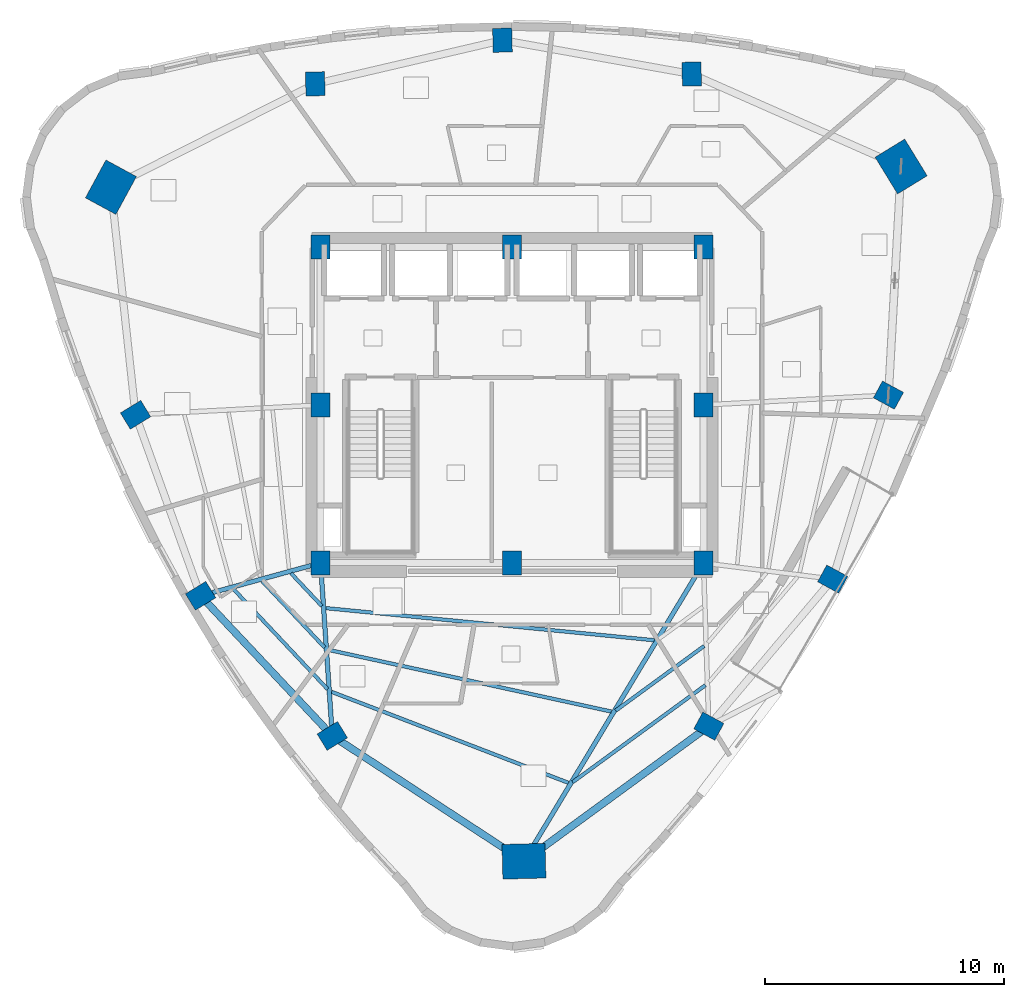
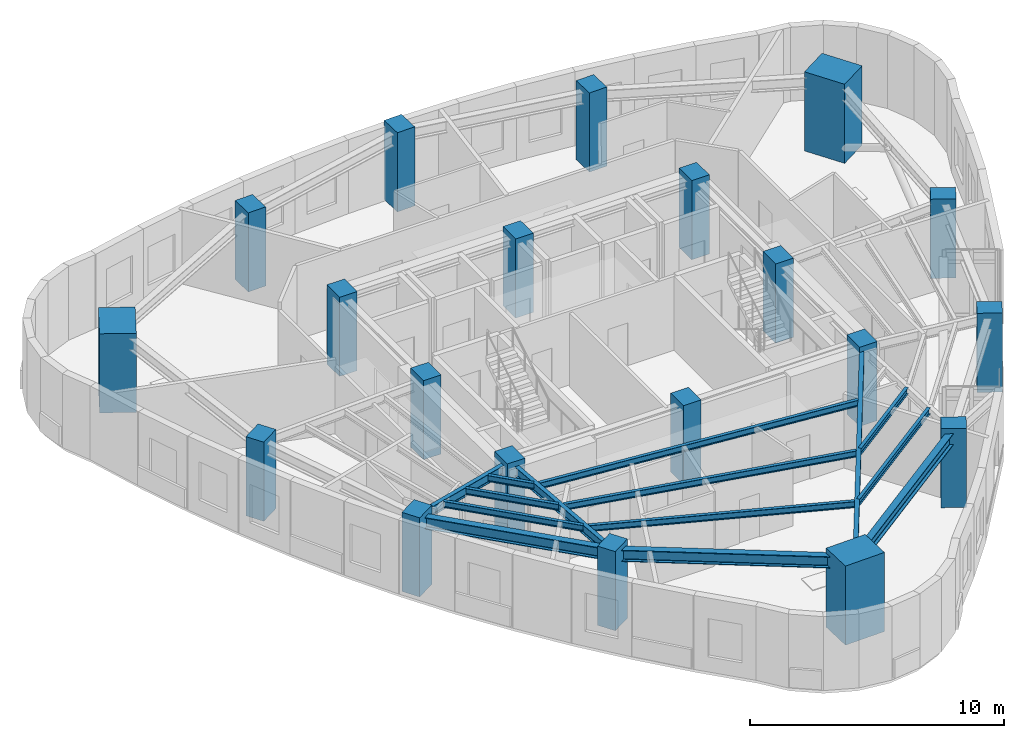
# One storey, part 1 of 12: 20 columns, 14 beams.
"""IFC4 building model written with IfcOpenShell, lengths in metres."""

import ifcopenshell
import ifcopenshell.guid

model = None  # the IFC model being written
_history = None  # IfcOwnerHistory: only IFC2X3 demands one
_inside = {}  # id of a spatial element -> (the spatial element, [elements in it])
_under = {}  # id of a project, library or spatial element -> (it, [spatial elements below it])
_declared = {}  # id of a project -> (the project, [libraries it declares])
_typed = {}  # id of a type object -> (the type object, [elements of that type])
_made_of = {}  # id of a material, layer set ... -> (it, [elements and type objects made of it])


def new_model(schema):
    """Start an empty IFC model of exactly this schema.

    Asked for "IFC4X3", IfcOpenShell would pick the latest addendum, in which some entities
    have other attributes; the version numbers below select the first issue.
    IFC2X3 requires an IfcOwnerHistory on every rooted entity: one is made here for all.
    """
    global model, _history
    if schema == "IFC4X3":
        model = ifcopenshell.file(schema_version=(4, 3, 0, 0))
    else:
        model = ifcopenshell.file(schema=schema)
    _inside.clear()
    _under.clear()
    _declared.clear()
    _typed.clear()
    _made_of.clear()
    _history = None
    if model.schema == "IFC2X3":
        org = make("IfcOrganization", Name="unknown")
        user = make(
            "IfcPersonAndOrganization",
            ThePerson=make("IfcPerson", FamilyName="unknown"),
            TheOrganization=org,
        )
        app = make(
            "IfcApplication",
            ApplicationDeveloper=org,
            Version="unknown",
            ApplicationFullName="unknown",
            ApplicationIdentifier="unknown",
        )
        _history = make(
            "IfcOwnerHistory",
            OwningUser=user,
            OwningApplication=app,
            ChangeAction="ADDED",
            CreationDate=0,
        )
    return model


def make(cls, **values):
    """One entity of the class cls with the attributes given. An attribute that is None is left unset."""
    return model.create_entity(
        cls, **{name: value for name, value in values.items() if value is not None}
    )


def rooted(cls, **values):
    """An entity with a GlobalId (a new one), such as an element, a storey or a relation."""
    return make(cls, GlobalId=ifcopenshell.guid.new(), OwnerHistory=_history, **values)


def si_unit(unit_type, name, prefix=None):
    """IfcSIUnit, for example si_unit("LENGTHUNIT", "METRE", prefix="MILLI")."""
    return make("IfcSIUnit", UnitType=unit_type, Prefix=prefix, Name=name)


def assignment(units):
    """IfcUnitAssignment: the units of a project."""
    return None if units is None else make("IfcUnitAssignment", Units=units)


def point(xyz):
    """IfcCartesianPoint."""
    return None if xyz is None else make("IfcCartesianPoint", Coordinates=xyz)


def direction(xyz):
    """IfcDirection."""
    return None if xyz is None else make("IfcDirection", DirectionRatios=xyz)


def frame(location, z_axis=None, x_axis=None):
    """IfcAxis2Placement3D, a coordinate frame: its origin and axes. An axis left out is left unset."""
    return make(
        "IfcAxis2Placement3D",
        Location=point(location),
        Axis=direction(z_axis),
        RefDirection=direction(x_axis),
    )


def frame_2d(location, x_axis=None):
    """IfcAxis2Placement2D, a coordinate frame in the plane: its origin and x axis."""
    return make(
        "IfcAxis2Placement2D", Location=point(location), RefDirection=direction(x_axis)
    )


def origin():
    """The frame at (0, 0, 0) with its axes left unset."""
    return frame((0.0, 0.0, 0.0))


def origin_2d():
    """The frame at (0, 0) in the plane with its x axis left unset."""
    return frame_2d((0.0, 0.0))


def place(relative_to, where):
    """IfcLocalPlacement: puts the frame where relative to a parent placement (None: the world)."""
    return make(
        "IfcLocalPlacement", PlacementRelTo=relative_to, RelativePlacement=where
    )


def context(
    kind, dimensions, precision=None, world=None, true_north=None, identifier=None
):
    """IfcGeometricRepresentationContext, for example the 3D "Model" context."""
    return make(
        "IfcGeometricRepresentationContext",
        ContextIdentifier=identifier,
        ContextType=kind,
        CoordinateSpaceDimension=dimensions,
        Precision=precision,
        WorldCoordinateSystem=world,
        TrueNorth=true_north,
    )


def subcontext(parent, identifier, kind, view, scale=None):
    """IfcGeometricRepresentationSubContext, for example "Body" below "Model"."""
    return make(
        "IfcGeometricRepresentationSubContext",
        ContextIdentifier=identifier,
        ContextType=kind,
        ParentContext=parent,
        TargetScale=scale,
        TargetView=view,
    )


def project(units=None, contexts=None):
    """IfcProject with its units and contexts."""
    return rooted(
        "IfcProject",
        Name="project",
        RepresentationContexts=contexts,
        UnitsInContext=assignment(units),
    )


def spatial(cls, under=None, at=None, **own):
    """A site, building, storey or space (cls), placed at a placement, below another one or the project."""
    s = rooted(cls, ObjectPlacement=at, **own)
    if under is not None:
        _under.setdefault(under.id(), (under, []))[1].append(s)
    return s


def profile(cls, at=None, kind="AREA", **sizes):
    """A parametric profile (cls). Its sizes go by their IFC names, for example OverallWidth=200.0."""
    return make(cls, ProfileType=kind, Position=at, **sizes)


def rectangle(**sizes):
    """IfcRectangleProfileDef."""
    return profile("IfcRectangleProfileDef", **sizes)


def i_section(**sizes):
    """IfcIShapeProfileDef."""
    return profile("IfcIShapeProfileDef", **sizes)


def extrude(swept, where, along, depth):
    """IfcExtrudedAreaSolid: the profile swept, set in the frame where, extruded along a direction by depth."""
    return make(
        "IfcExtrudedAreaSolid",
        SweptArea=swept,
        Position=where,
        ExtrudedDirection=direction(along),
        Depth=depth,
    )


def shape(context_of_items, identifier, shape_type, items):
    """IfcShapeRepresentation: the items that make up one representation, for example the "Body"."""
    return make(
        "IfcShapeRepresentation",
        ContextOfItems=context_of_items,
        RepresentationIdentifier=identifier,
        RepresentationType=shape_type,
        Items=items,
    )


def material(Name=None, Category=None):
    """IfcMaterial."""
    return make("IfcMaterial", Name=Name, Category=Category)


def material_profile(
    of_material, cross_section, Name=None, Category=None, Priority=None
):
    """IfcMaterialProfile: a cross section and its material."""
    return make(
        "IfcMaterialProfile",
        Name=Name,
        Material=of_material,
        Profile=cross_section,
        Priority=Priority,
        Category=Category,
    )


def profile_set(profiles, Name=None, composite=None):
    """IfcMaterialProfileSet."""
    return make(
        "IfcMaterialProfileSet",
        Name=Name,
        MaterialProfiles=profiles,
        CompositeProfile=composite,
    )


def made_of(thing, what):
    """Note that an element or type object is made of a material, layer set ...; save() writes the relation."""
    if what is not None:
        _made_of.setdefault(what.id(), (what, []))[1].append(thing)
    return thing


def type_object(cls, material=None, **own):
    """A type object (cls), such as IfcWallType, which elements share."""
    return made_of(rooted(cls, **own), material)


def element(
    cls,
    number,
    at=None,
    inside=None,
    cuts=None,
    type_object=None,
    material=None,
    context=None,
    identifier="Body",
    shape_type=None,
    held_by="IfcProductDefinitionShape",
    body=None,
    shapes=None,
    **own,
):
    """One element of the class cls, such as IfcWall. Its Tag is "e" and its number.

    at: its placement. inside: the storey or other place that contains it. cuts: it is an
    opening in that element (IfcRelVoidsElement). A single representation is given by context,
    identifier, shape_type and body (its items); several are given by shapes. held_by: the class
    of the entity that holds the representations. save() writes the other relations.
    """
    e = rooted(cls, Tag="e%d" % number, ObjectPlacement=at, **own)
    if body is not None:
        shapes = [shape(context, identifier, shape_type, body)]
    if shapes is not None:
        e.Representation = make(held_by, Representations=shapes)
    if inside is not None:
        _inside.setdefault(inside.id(), (inside, []))[1].append(e)
    if cuts is not None:
        rooted(
            "IfcRelVoidsElement", RelatingBuildingElement=cuts, RelatedOpeningElement=e
        )
    if type_object is not None:
        _typed.setdefault(type_object.id(), (type_object, []))[1].append(e)
    return made_of(e, material)


def aggregate(whole, parts):
    """IfcRelAggregates: a whole, such as a stair, and the parts it consists of."""
    return rooted("IfcRelAggregates", RelatingObject=whole, RelatedObjects=parts)


def save(model, path):
    """Write the relations noted so far, then the file.

    IfcRelAggregates (storeys below a building ...), IfcRelContainedInSpatialStructure (elements
    in a storey), IfcRelDefinesByType, IfcRelAssociatesMaterial and IfcRelDeclares: one each for
    every whole, place, type object, material and project.
    """
    for whole, parts in _under.values():
        aggregate(whole, parts)
    for where, things in _inside.values():
        rooted(
            "IfcRelContainedInSpatialStructure",
            RelatedElements=things,
            RelatingStructure=where,
        )
    for kind, things in _typed.values():
        rooted("IfcRelDefinesByType", RelatedObjects=things, RelatingType=kind)
    for what, things in _made_of.values():
        rooted("IfcRelAssociatesMaterial", RelatedObjects=things, RelatingMaterial=what)
    for by, libraries in _declared.values():
        rooted("IfcRelDeclares", RelatingContext=by, RelatedDefinitions=libraries)
    model.write(path)


model = new_model("IFC4")

# Units and contexts
model_context = context("Model", 3, precision=1e-05, world=origin(), true_north=direction((0.0, 1.0)))
body_context = subcontext(model_context, "Body", "Model", "MODEL_VIEW")
ifc_project = project(units=[si_unit("LENGTHUNIT", "METRE"), si_unit("AREAUNIT", "SQUARE_METRE"), si_unit("VOLUMEUNIT", "CUBIC_METRE"), si_unit("PLANEANGLEUNIT", "RADIAN"), si_unit("MASSUNIT", "GRAM", prefix="KILO")], contexts=[model_context])

# Site, building, storey
site_placement = place(None, origin())
site = spatial("IfcSite", under=ifc_project, at=site_placement, CompositionType="ELEMENT")
building_placement = place(site_placement, origin())
building = spatial("IfcBuilding", under=site, at=building_placement, Name="Ndelora Gate Hotel", CompositionType="ELEMENT")
storey_placement = place(building_placement, frame((0.0, 0.0, 205.550048828125)))
storey = spatial("IfcBuildingStorey", under=building, at=storey_placement, Name="L51", CompositionType="ELEMENT", Elevation=205.550048828125)

# Columns
ifc_material_1 = material(Name="Concrete C50/60", Category="concrete")
ifc_material_profile_1 = material_profile(ifc_material_1, rectangle(XDim=0.800048828125, YDim=1.0, at=origin_2d()), Name="RC 1000x800")
ifc_profile_set_1 = profile_set([ifc_material_profile_1], Name="Concrete C50/60")
column_type_1 = type_object("IfcColumnType", Name="COL-CC-HI", PredefinedType="COLUMN", material=ifc_profile_set_1)
for number, where, z_axis, x_axis, name in (
    (1, (-8.0, -6.60009765625, 0.0), (0.0, 0.0, 1.0), (1.0, 0.0, 0.0), "L51 Core Column CC1"),
    (2, (0.0, -6.60009765625, 0.0), (0.0, 0.0, 1.0), (1.0, 0.0, 0.0), "L51 Core Column CC2"),
    (3, (8.0, -6.60009765625, 0.0), (0.0, 0.0, 1.0), (1.0, 0.0, 0.0), "L51 Core Column CC3"),
    (4, (8.0, 0.0, 0.0), (0.0, 0.0, 1.0), (1.0, 0.0, 0.0), "L51 Core Column CC4"),
    (5, (8.0, 6.60009765625, 0.0), (0.0, 0.0, 1.0), (1.0, 0.0, 0.0), "L51 Core Column CC5"),
    (6, (0.0, 6.60009765625, 0.0), (0.0, 0.0, 1.0), (1.0, 0.0, 0.0), "L51 Core Column CC6"),
    (7, (-8.0, 6.60009765625, 0.0), (0.0, 0.0, 1.0), (1.0, 0.0, 0.0), "L51 Core Column CC7"),
    (8, (-8.0, 0.0, 0.0), (0.0, 0.0, 1.0), (1.0, 0.0, 0.0), "L51 Core Column CC8"),
):
    element("IfcColumn", number, at=place(storey_placement, frame(where, z_axis=z_axis, x_axis=x_axis)), inside=storey, type_object=column_type_1, Name=name, PredefinedType="COLUMN", context=body_context, shape_type="SweptSolid", body=[
        extrude(rectangle(XDim=0.800048828125, YDim=1.0, at=origin_2d()), origin(), (0.0, 0.0, 1.0), 3.800048828125),
    ])
ifc_material_profile_2 = material_profile(ifc_material_1, rectangle(XDim=1.449951171875, YDim=1.800048828125, at=origin_2d()), Name="RC 1800x1450")
ifc_profile_set_2 = profile_set([ifc_material_profile_2], Name="Concrete C50/60")
column_type_2 = type_object("IfcColumnType", Name="COL-MC-Z3", PredefinedType="COLUMN", material=ifc_profile_set_2)
for number, where, z_axis, x_axis, name in (
    (9, (-16.759521484375, 9.099609375, 0.0), (0.0, 0.0, 1.0), (-0.878817112662, 0.47715876026, 0.0), "L51 Corner Mega-Column R1"),
    (10, (0.499267578125, -19.064208984375, 0.0), (0.0, 0.0, 1.0), (-0.026176948308, 0.999657324976, 0.0), "L51 Corner Mega-Column R5"),
    (11, (16.26025390625, 9.96435546875, 0.0), (0.0, 0.0, 1.0), (0.852640164354, 0.522498564716, 0.0), "L51 Corner Mega-Column R9"),
):
    element("IfcColumn", number, at=place(storey_placement, frame(where, z_axis=z_axis, x_axis=x_axis)), inside=storey, type_object=column_type_2, Name=name, PredefinedType="COLUMN", context=body_context, shape_type="SweptSolid", body=[
        extrude(rectangle(XDim=1.449951171875, YDim=1.800048828125, at=origin_2d()), origin(), (0.0, 0.0, 1.0), 3.800048828125),
    ])
ifc_material_profile_3 = material_profile(ifc_material_1, rectangle(XDim=0.800048828125, YDim=1.0, at=origin_2d()), Name="RC 1000x800")
ifc_profile_set_3 = profile_set([ifc_material_profile_3], Name="Concrete C50/60")
column_type_3 = type_object("IfcColumnType", Name="COL-PT-Z3", PredefinedType="COLUMN", material=ifc_profile_set_3)
for number, where, z_axis, x_axis, name in (
    (12, (-15.72998046875, -0.411865234375, 0.0), (0.0, 0.0, 1.0), (-0.522498564716, 0.852640164354, 0.0), "L51 Perimeter Tube Column R2"),
    (13, (-13.011962890625, -7.973876953125, 0.0), (0.0, 0.0, 1.0), (-0.522498564716, 0.852640164354, 0.0), "L51 Perimeter Tube Column R3"),
    (14, (-7.50830078125, -13.828369140625, 0.0), (0.0, 0.0, 1.0), (-0.522498564716, 0.852640164354, 0.0), "L51 Perimeter Tube Column R4"),
    (15, (8.223876953125, -13.419921875, 0.0), (0.0, 0.0, 1.0), (0.47715876026, 0.878817112662, 0.0), "L51 Perimeter Tube Column R6"),
    (16, (13.400390625, -7.275634765625, 0.0), (0.0, 0.0, 1.0), (0.47715876026, 0.878817112662, 0.0), "L51 Perimeter Tube Column R7"),
    (17, (15.72998046875, 0.411865234375, 0.0), (0.0, 0.0, 1.0), (0.47715876026, 0.878817112662, 0.0), "L51 Perimeter Tube Column R8"),
    (18, (7.50830078125, 13.828369140625, 0.0), (0.0, 0.0, 1.0), (0.999657324976, 0.026176948308, 0.0), "L51 Perimeter Tube Column R10"),
    (19, (-0.399169921875, 15.242919921875, 0.0), (0.0, 0.0, 1.0), (0.999657324976, 0.026176948308, 0.0), "L51 Perimeter Tube Column R11"),
    (20, (-8.2216796875, 13.41650390625, 0.0), (0.0, 0.0, 1.0), (0.999657324976, 0.026176948308, 0.0), "L51 Perimeter Tube Column R12"),
):
    element("IfcColumn", number, at=place(storey_placement, frame(where, z_axis=z_axis, x_axis=x_axis)), inside=storey, type_object=column_type_3, Name=name, PredefinedType="COLUMN", context=body_context, shape_type="SweptSolid", body=[
        extrude(rectangle(XDim=0.800048828125, YDim=1.0, at=origin_2d()), origin(), (0.0, 0.0, 1.0), 3.800048828125),
    ])

# Beams
ifc_material_2 = material(Name="Steel S355", Category="steel")
ifc_material_profile_4 = material_profile(ifc_material_2, i_section(OverallWidth=0.14990234375, OverallDepth=0.300048828125, WebThickness=0.007080078125, FlangeThickness=0.0107421875, FilletRadius=0.014892578125, at=origin_2d()), Name="IPE 300")
ifc_profile_set_4 = profile_set([ifc_material_profile_4], Name="Steel S355")
beam_type_1 = type_object("IfcBeamType", Name="BM-JST-300", PredefinedType="JOIST", material=ifc_profile_set_4)
beam_1_placement = place(storey_placement, frame((-9.231201171875, -7.03369140625, 3.39990234375), z_axis=(0.684943115963, -0.728596546722, 0.0), x_axis=(0.728596546722, 0.684943115963, 0.0)))
element("IfcBeam", 21, at=beam_1_placement, inside=storey, type_object=beam_type_1, Name="L51 Secondary Composite Floor Joist IN-3", PredefinedType="JOIST", context=body_context, shape_type="SweptSolid", body=[
    extrude(i_section(OverallWidth=0.14990234375, OverallDepth=0.300048828125, WebThickness=0.007080078125, FlangeThickness=0.0107421875, FilletRadius=0.014892578125, at=origin_2d()), origin(), (0.0, 0.0, 1.0), 1.879150390625),
])
beam_2_placement = place(storey_placement, frame((-10.43408203125, -7.36328125, 3.39990234375), z_axis=(0.684938600536, -0.728600791584, 0.0), x_axis=(0.728600791584, 0.684938600536, 0.0)))
element("IfcBeam", 22, at=beam_2_placement, inside=storey, type_object=beam_type_1, Name="L51 Secondary Composite Floor Joist MID-3", PredefinedType="JOIST", context=body_context, shape_type="SweptSolid", body=[
    extrude(i_section(OverallWidth=0.14990234375, OverallDepth=0.300048828125, WebThickness=0.007080078125, FlangeThickness=0.0107421875, FilletRadius=0.014892578125, at=origin_2d()), origin(), (0.0, 0.0, 1.0), 3.807861328125),
])
beam_3_placement = place(storey_placement, frame((-11.636962890625, -7.693115234375, 3.39990234375), z_axis=(0.68493576734, -0.728603454986, 0.0), x_axis=(0.728603454986, 0.68493576734, 0.0)))
element("IfcBeam", 23, at=beam_3_placement, inside=storey, type_object=beam_type_1, Name="L51 Secondary Composite Floor Joist OUT-3", PredefinedType="JOIST", context=body_context, shape_type="SweptSolid", body=[
    extrude(i_section(OverallWidth=0.14990234375, OverallDepth=0.300048828125, WebThickness=0.007080078125, FlangeThickness=0.0107421875, FilletRadius=0.014892578125, at=origin_2d()), origin(), (0.0, 0.0, 1.0), 5.736328125),
])
beam_4_placement = place(storey_placement, frame((-7.767578125, -8.489501953125, 3.39990234375), z_axis=(0.995253727902, -0.097314012848, 0.0), x_axis=(0.097314012848, 0.995253727902, 0.0)))
element("IfcBeam", 24, at=beam_4_placement, inside=storey, type_object=beam_type_1, Name="L51 Secondary Composite Floor Joist IN-4", PredefinedType="JOIST", context=body_context, shape_type="SweptSolid", body=[
    extrude(i_section(OverallWidth=0.14990234375, OverallDepth=0.300048828125, WebThickness=0.007080078125, FlangeThickness=0.0107421875, FilletRadius=0.014892578125, at=origin_2d()), origin(), (0.0, 0.0, 1.0), 13.7783203125),
])
beam_5_placement = place(storey_placement, frame((-7.651611328125, -10.236572265625, 3.39990234375), z_axis=(0.977032906758, -0.213088477191, 0.0), x_axis=(0.213088477191, 0.977032906758, 0.0)))
element("IfcBeam", 25, at=beam_5_placement, inside=storey, type_object=beam_type_1, Name="L51 Secondary Composite Floor Joist MID-4", PredefinedType="JOIST", context=body_context, shape_type="SweptSolid", body=[
    extrude(i_section(OverallWidth=0.14990234375, OverallDepth=0.300048828125, WebThickness=0.007080078125, FlangeThickness=0.0107421875, FilletRadius=0.014892578125, at=origin_2d()), origin(), (0.0, 0.0, 1.0), 12.075927734375),
])
beam_6_placement = place(storey_placement, frame((-7.5380859375, -11.98681640625, 3.39990234375), z_axis=(0.933489266504, -0.358605339227, 0.0), x_axis=(0.358605339227, 0.933489266504, 0.0)))
element("IfcBeam", 26, at=beam_6_placement, inside=storey, type_object=beam_type_1, Name="L51 Secondary Composite Floor Joist OUT-4", PredefinedType="JOIST", context=body_context, shape_type="SweptSolid", body=[
    extrude(i_section(OverallWidth=0.14990234375, OverallDepth=0.300048828125, WebThickness=0.007080078125, FlangeThickness=0.0107421875, FilletRadius=0.014892578125, at=origin_2d()), origin(), (0.0, 0.0, 1.0), 10.593994140625),
])
beam_7_placement = place(storey_placement, frame((4.33447265625, -12.77001953125, 3.39990234375), z_axis=(0.807439047151, 0.589951002318, 0.0), x_axis=(-0.589951002318, 0.807439047151, 0.0)))
element("IfcBeam", 27, at=beam_7_placement, inside=storey, type_object=beam_type_1, Name="L51 Secondary Composite Floor Joist MID-5", PredefinedType="JOIST", context=body_context, shape_type="SweptSolid", body=[
    extrude(i_section(OverallWidth=0.14990234375, OverallDepth=0.300048828125, WebThickness=0.007080078125, FlangeThickness=0.0107421875, FilletRadius=0.014892578125, at=origin_2d()), origin(), (0.0, 0.0, 1.0), 4.5732421875),
])
beam_8_placement = place(storey_placement, frame((2.5341796875, -15.761474609375, 3.39990234375), z_axis=(0.807430841486, 0.589962232874, 0.0), x_axis=(-0.589962232874, 0.807430841486, 0.0)))
element("IfcBeam", 28, at=beam_8_placement, inside=storey, type_object=beam_type_1, Name="L51 Secondary Composite Floor Joist OUT-5", PredefinedType="JOIST", context=body_context, shape_type="SweptSolid", body=[
    extrude(i_section(OverallWidth=0.14990234375, OverallDepth=0.300048828125, WebThickness=0.007080078125, FlangeThickness=0.0107421875, FilletRadius=0.014892578125, at=origin_2d()), origin(), (0.0, 0.0, 1.0), 6.869384765625),
])
ifc_material_profile_5 = material_profile(ifc_material_2, i_section(OverallWidth=0.18994140625, OverallDepth=0.449951171875, WebThickness=0.009521484375, FlangeThickness=0.0146484375, FilletRadius=0.02099609375, at=origin_2d()), Name="IPE 450")
ifc_profile_set_5 = profile_set([ifc_material_profile_5], Name="Steel S355")
beam_type_2 = type_object("IfcBeamType", Name="BM-RAD-450", PredefinedType="BEAM", material=ifc_profile_set_5)
beam_9_placement = place(storey_placement, frame((-8.0, -6.60009765625, 3.324951171875), z_axis=(-0.96442695542, -0.264349480157, 0.0), x_axis=(0.264349480157, -0.96442695542, 0.0)))
element("IfcBeam", 29, at=beam_9_placement, inside=storey, type_object=beam_type_2, Name="L51 Radial Floor Girder 3", PredefinedType="BEAM", context=body_context, shape_type="SweptSolid", body=[
    extrude(i_section(OverallWidth=0.18994140625, OverallDepth=0.449951171875, WebThickness=0.009521484375, FlangeThickness=0.0146484375, FilletRadius=0.02099609375, at=origin_2d()), origin(), (0.0, 0.0, 1.0), 5.19677734375),
])
beam_10_placement = place(storey_placement, frame((-8.0, -6.60009765625, 3.324951171875), z_axis=(0.067867612113, -0.997694335569, 0.0), x_axis=(0.997694335569, 0.067867612113, 0.0)))
element("IfcBeam", 30, at=beam_10_placement, inside=storey, type_object=beam_type_2, Name="L51 Radial Floor Girder 4", PredefinedType="BEAM", context=body_context, shape_type="SweptSolid", body=[
    extrude(i_section(OverallWidth=0.18994140625, OverallDepth=0.449951171875, WebThickness=0.009521484375, FlangeThickness=0.0146484375, FilletRadius=0.02099609375, at=origin_2d()), origin(), (0.0, 0.0, 1.0), 7.244873046875),
])
beam_11_placement = place(storey_placement, frame((8.0, -6.60009765625, 3.324951171875), z_axis=(-0.515620753203, -0.856816922607, 0.0), x_axis=(0.856816922607, -0.515620753203, 0.0)))
element("IfcBeam", 31, at=beam_11_placement, inside=storey, type_object=beam_type_2, Name="L51 Radial Floor Girder 5", PredefinedType="BEAM", context=body_context, shape_type="SweptSolid", body=[
    extrude(i_section(OverallWidth=0.18994140625, OverallDepth=0.449951171875, WebThickness=0.009521484375, FlangeThickness=0.0146484375, FilletRadius=0.02099609375, at=origin_2d()), origin(), (0.0, 0.0, 1.0), 14.546875),
])
ifc_material_profile_6 = material_profile(ifc_material_2, i_section(OverallWidth=0.300048828125, OverallDepth=0.550048828125, WebThickness=0.014892578125, FlangeThickness=0.029052734375, FilletRadius=0.027099609375, at=origin_2d()), Name="HEB 550")
ifc_profile_set_6 = profile_set([ifc_material_profile_6], Name="Steel S355")
beam_type_3 = type_object("IfcBeamType", Name="BM-RING-550", PredefinedType="SPANDREL", material=ifc_profile_set_6)
beam_12_placement = place(storey_placement, frame((-13.011962890625, -7.973876953125, 3.27490234375), z_axis=(0.684939043371, -0.728600375285, 0.0), x_axis=(0.728600375285, 0.684939043371, 0.0)))
element("IfcBeam", 32, at=beam_12_placement, inside=storey, type_object=beam_type_3, Name="L51 Perimeter Spandrel Girder 3", PredefinedType="SPANDREL", context=body_context, shape_type="SweptSolid", body=[
    extrude(i_section(OverallWidth=0.300048828125, OverallDepth=0.550048828125, WebThickness=0.014892578125, FlangeThickness=0.029052734375, FilletRadius=0.027099609375, at=origin_2d()), origin(), (0.0, 0.0, 1.0), 8.03515625),
])
beam_13_placement = place(storey_placement, frame((-7.50830078125, -13.828369140625, 3.27490234375), z_axis=(0.836963769915, -0.547258300851, 0.0), x_axis=(0.547258300851, 0.836963769915, 0.0)))
element("IfcBeam", 33, at=beam_13_placement, inside=storey, type_object=beam_type_3, Name="L51 Perimeter Spandrel Girder 4", PredefinedType="SPANDREL", context=body_context, shape_type="SweptSolid", body=[
    extrude(i_section(OverallWidth=0.300048828125, OverallDepth=0.550048828125, WebThickness=0.014892578125, FlangeThickness=0.029052734375, FilletRadius=0.027099609375, at=origin_2d()), origin(), (0.0, 0.0, 1.0), 9.5673828125),
])
beam_14_placement = place(storey_placement, frame((0.499267578125, -19.064208984375, 3.27490234375), z_axis=(0.807421980226, 0.58997436033, 0.0), x_axis=(-0.58997436033, 0.807421980226, 0.0)))
element("IfcBeam", 34, at=beam_14_placement, inside=storey, type_object=beam_type_3, Name="L51 Perimeter Spandrel Girder 5", PredefinedType="SPANDREL", context=body_context, shape_type="SweptSolid", body=[
    extrude(i_section(OverallWidth=0.300048828125, OverallDepth=0.550048828125, WebThickness=0.014892578125, FlangeThickness=0.029052734375, FilletRadius=0.027099609375, at=origin_2d()), origin(), (0.0, 0.0, 1.0), 9.56689453125),
])

save(model, "model.ifc")
